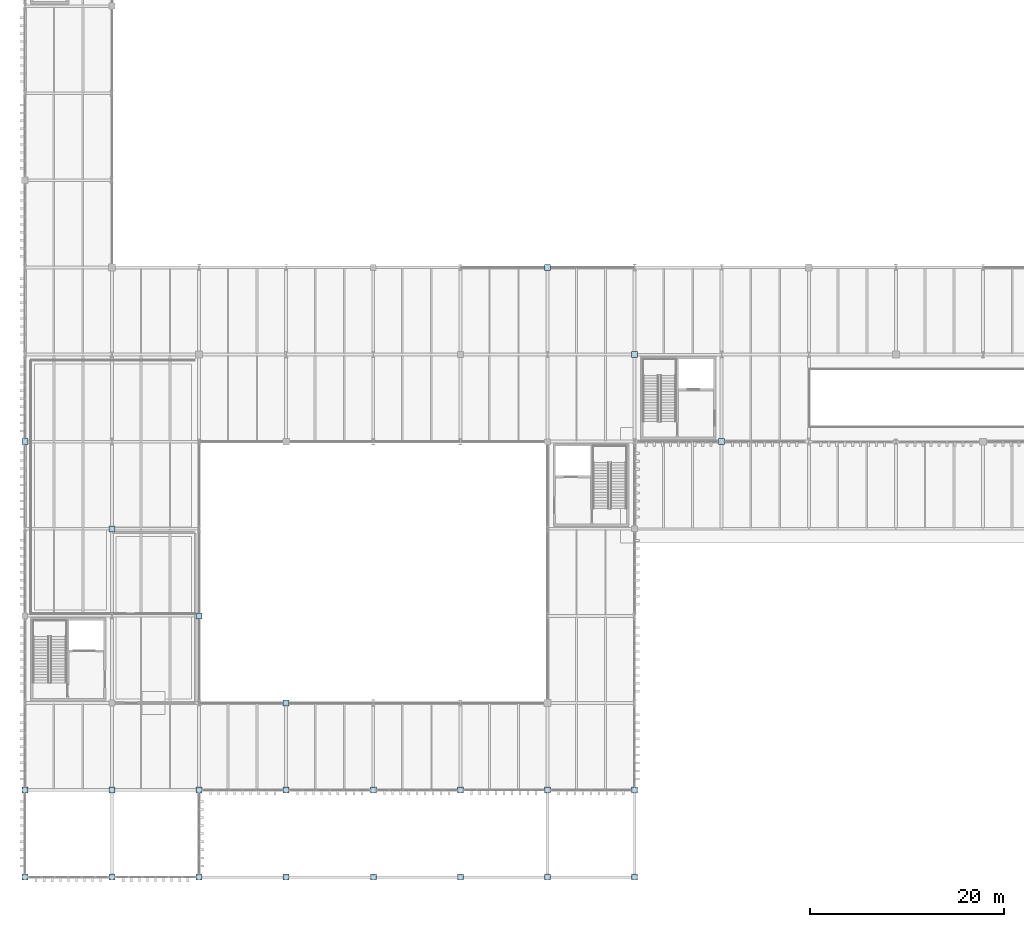
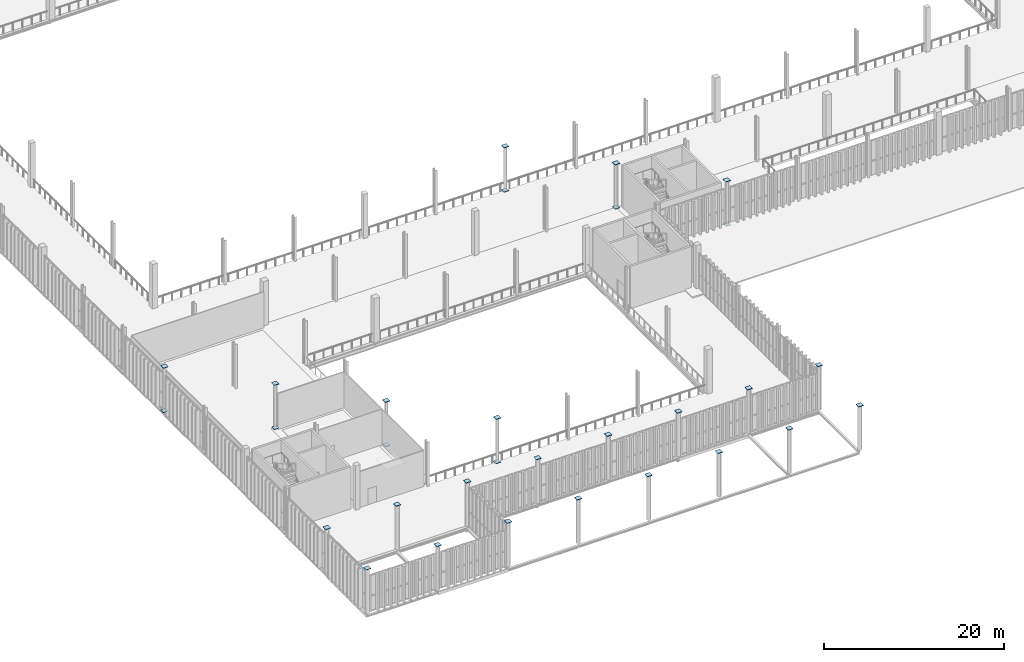
# One storey, part 170 of 211: 30 plates.
"""IFC4 building model written with IfcOpenShell, lengths in metres."""

from ifc_helpers import new_model, si_unit, direction, frame, origin, origin_2d, place, context, subcontext, project, spatial, rectangle, extrude, material, layer, layer_set, type_object, element, save


model = new_model("IFC4")

# Units and contexts
model_context = context("Model", 3, precision=1e-05, world=origin(), true_north=direction((0.0, 1.0)))
body_context = subcontext(model_context, "Body", "Model", "MODEL_VIEW")
ifc_project = project(units=[si_unit("LENGTHUNIT", "METRE"), si_unit("AREAUNIT", "SQUARE_METRE"), si_unit("VOLUMEUNIT", "CUBIC_METRE"), si_unit("PLANEANGLEUNIT", "RADIAN"), si_unit("MASSUNIT", "GRAM", prefix="KILO")], contexts=[model_context])

# Site, building, storey
site_placement = place(None, origin())
site = spatial("IfcSite", under=ifc_project, at=site_placement, CompositionType="ELEMENT")
building_placement = place(site_placement, origin())
building = spatial("IfcBuilding", under=site, at=building_placement, Name="Barlavento Convention Centre", CompositionType="ELEMENT")
storey_placement = place(building_placement, frame((0.0, 0.0, 6.0)))
storey = spatial("IfcBuildingStorey", under=building, at=storey_placement, Name="L01", CompositionType="ELEMENT", Elevation=6.0)

# Plates
ifc_material = material(Name="Steel S355", Category="steel")
ifc_layer = layer(ifc_material, 0.06005859375)
ifc_layer_set = layer_set([ifc_layer], Name="STR-PLT-CAP-620")
plate_type = type_object("IfcPlateType", Name="STR-PLT-CAP-620", PredefinedType="SHEET", material=ifc_layer_set)
for number, where, z_axis, x_axis, name in (
    (1, (0.0, 0.0, 5.969970703125), (0.0, 0.0, 1.0), (1.0, 0.0, 0.0), "Hollow column sealing end-cap plate EC04"),
    (2, (0.0, 9.0, 5.969970703125), (0.0, 0.0, 1.0), (1.0, 0.0, 0.0), "Hollow column sealing end-cap plate EC04"),
    (3, (0.0, 45.0, 5.969970703125), (0.0, 0.0, 1.0), (1.0, 0.0, 0.0), "Hollow column sealing end-cap plate EC04"),
    (4, (0.0, 45.0, -0.030029296875), (0.0, 0.0, 1.0), (1.0, 0.0, 0.0), "Hollow column sealing end-cap plate EC04"),
    (5, (9.0, 0.0, 5.969970703125), (0.0, 0.0, 1.0), (1.0, 0.0, 0.0), "Hollow column sealing end-cap plate EC04"),
    (6, (9.0, 9.0, 5.969970703125), (0.0, 0.0, 1.0), (1.0, 0.0, 0.0), "Hollow column sealing end-cap plate EC04"),
    (7, (9.0, 36.0, 5.969970703125), (0.0, 0.0, 1.0), (1.0, 0.0, 0.0), "Hollow column sealing end-cap plate EC04"),
    (8, (9.0, 36.0, -0.030029296875), (0.0, 0.0, 1.0), (1.0, 0.0, 0.0), "Hollow column sealing end-cap plate EC04"),
    (9, (18.0, 0.0, 5.969970703125), (0.0, 0.0, 1.0), (1.0, 0.0, 0.0), "Hollow column sealing end-cap plate EC04"),
    (10, (18.0, 9.0, 5.969970703125), (0.0, 0.0, 1.0), (1.0, 0.0, 0.0), "Hollow column sealing end-cap plate EC04"),
    (11, (18.0, 27.0, 5.969970703125), (0.0, 0.0, 1.0), (1.0, 0.0, 0.0), "Hollow column sealing end-cap plate EC04"),
    (12, (18.0, 27.0, -0.030029296875), (0.0, 0.0, 1.0), (1.0, 0.0, 0.0), "Hollow column sealing end-cap plate EC04"),
    (13, (27.0, 0.0, 5.969970703125), (0.0, 0.0, 1.0), (1.0, 0.0, 0.0), "Hollow column sealing end-cap plate EC04"),
    (14, (27.0, 9.0, 5.969970703125), (0.0, 0.0, 1.0), (1.0, 0.0, 0.0), "Hollow column sealing end-cap plate EC04"),
    (15, (27.0, 18.0, 5.969970703125), (0.0, 0.0, 1.0), (1.0, 0.0, 0.0), "Hollow column sealing end-cap plate EC04"),
    (16, (27.0, 18.0, -0.030029296875), (0.0, 0.0, 1.0), (1.0, 0.0, 0.0), "Hollow column sealing end-cap plate EC04"),
    (17, (36.0, 0.0, 5.969970703125), (0.0, 0.0, 1.0), (1.0, 0.0, 0.0), "Hollow column sealing end-cap plate EC04"),
    (18, (36.0, 9.0, 5.969970703125), (0.0, 0.0, 1.0), (1.0, 0.0, 0.0), "Hollow column sealing end-cap plate EC04"),
    (19, (45.0, 0.0, 5.969970703125), (0.0, 0.0, 1.0), (1.0, 0.0, 0.0), "Hollow column sealing end-cap plate EC04"),
    (20, (45.0, 9.0, 5.969970703125), (0.0, 0.0, 1.0), (1.0, 0.0, 0.0), "Hollow column sealing end-cap plate EC04"),
    (21, (54.0, 0.0, 5.969970703125), (0.0, 0.0, 1.0), (1.0, 0.0, 0.0), "Hollow column sealing end-cap plate EC04"),
    (22, (54.0, 9.0, 5.969970703125), (0.0, 0.0, 1.0), (1.0, 0.0, 0.0), "Hollow column sealing end-cap plate EC04"),
    (23, (54.0, 63.0, 5.969970703125), (0.0, 0.0, 1.0), (1.0, 0.0, 0.0), "Hollow column sealing end-cap plate EC04"),
    (24, (54.0, 63.0, -0.030029296875), (0.0, 0.0, 1.0), (1.0, 0.0, 0.0), "Hollow column sealing end-cap plate EC04"),
    (25, (63.0, 0.0, 5.969970703125), (0.0, 0.0, 1.0), (1.0, 0.0, 0.0), "Hollow column sealing end-cap plate EC04"),
    (26, (63.0, 9.0, 5.969970703125), (0.0, 0.0, 1.0), (1.0, 0.0, 0.0), "Hollow column sealing end-cap plate EC04"),
    (27, (63.0, 54.0, 5.969970703125), (0.0, 0.0, 1.0), (1.0, 0.0, 0.0), "Hollow column sealing end-cap plate EC04"),
    (28, (63.0, 54.0, -0.030029296875), (0.0, 0.0, 1.0), (1.0, 0.0, 0.0), "Hollow column sealing end-cap plate EC04"),
    (29, (72.0, 45.0, 5.969970703125), (0.0, 0.0, 1.0), (1.0, 0.0, 0.0), "Hollow column sealing end-cap plate EC04"),
    (30, (72.0, 45.0, -0.030029296875), (0.0, 0.0, 1.0), (1.0, 0.0, 0.0), "Hollow column sealing end-cap plate EC04"),
):
    element("IfcPlate", number, at=place(storey_placement, frame(where, z_axis=z_axis, x_axis=x_axis)), inside=storey, type_object=plate_type, Name=name, PredefinedType="SHEET", context=body_context, shape_type="SweptSolid", body=[
        extrude(rectangle(XDim=0.6201171875, YDim=0.6201171875, at=origin_2d()), origin(), (0.0, 0.0, 1.0), 0.06005859375),
    ])

save(model, "model.ifc")
